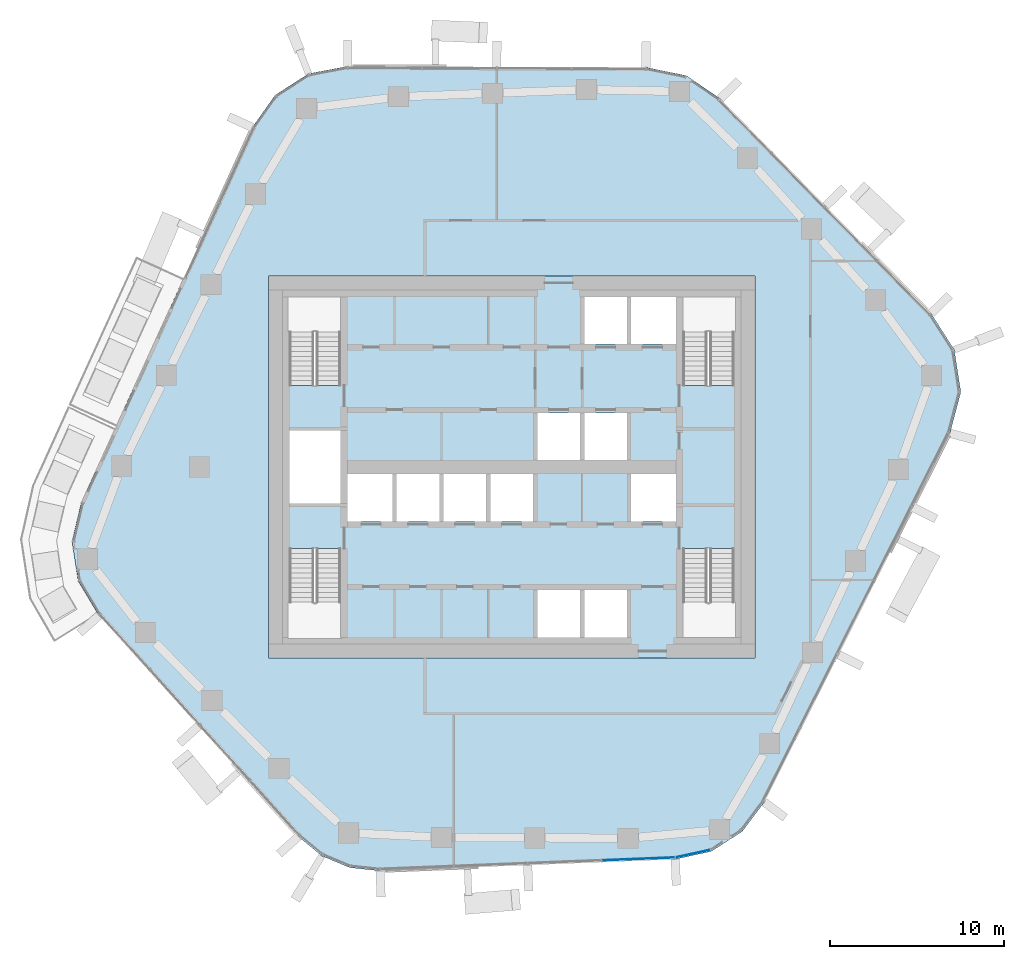
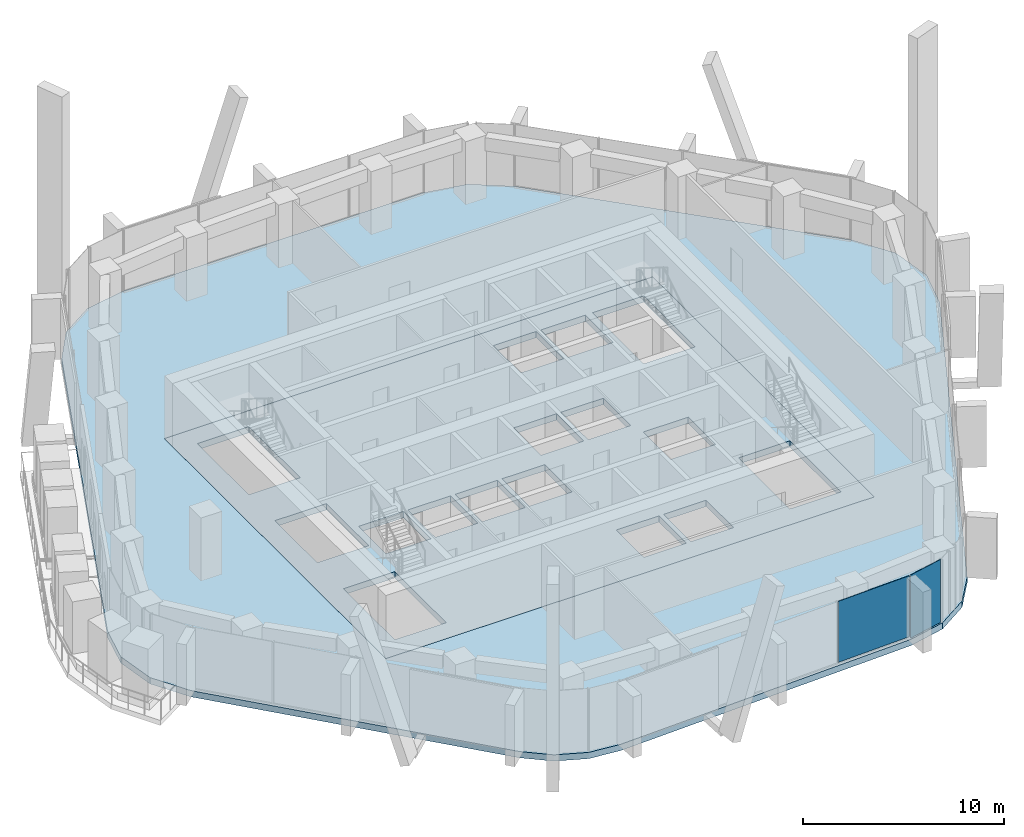
# One storey, part 9 of 19: 2 plates, 2 slabs, 2 elements without a shape of their own.
"""IFC4 building model written with IfcOpenShell, lengths in metres."""

from ifc_helpers import new_model, si_unit, direction, frame, origin, origin_2d, place, context, subcontext, project, spatial, polyline, rectangle, outline, extrude, material, layer, layer_set, type_object, element, aggregate, save


model = new_model("IFC4")

# Units and contexts
model_context = context("Model", 3, precision=1e-05, world=origin(), true_north=direction((0.0, 1.0)))
body_context = subcontext(model_context, "Body", "Model", "MODEL_VIEW")
ifc_project = project(units=[si_unit("LENGTHUNIT", "METRE"), si_unit("AREAUNIT", "SQUARE_METRE"), si_unit("VOLUMEUNIT", "CUBIC_METRE"), si_unit("PLANEANGLEUNIT", "RADIAN"), si_unit("MASSUNIT", "GRAM", prefix="KILO")], contexts=[model_context])

# Site, building, storey
site_placement = place(None, origin())
site = spatial("IfcSite", under=ifc_project, at=site_placement, CompositionType="ELEMENT")
building_placement = place(site_placement, origin())
building = spatial("IfcBuilding", under=site, at=building_placement, Name="Dongbaek Canopy Tower", CompositionType="ELEMENT")
storey_placement = place(building_placement, frame((0.0, 0.0, 198.800048828125)))
storey = spatial("IfcBuildingStorey", under=building, at=storey_placement, Name="L41", CompositionType="ELEMENT", Elevation=198.800048828125)

# Curtain wall, plate
ifc_material_1 = material(Name="Aluminium 6063-T6 pale anodised", Category="aluminium")
ifc_layer_1 = layer(ifc_material_1, 0.199951171875)
ifc_layer_set_1 = layer_set([ifc_layer_1], Name="CW-1 unitised tower curtain wall")
curtain_wall_type = type_object("IfcCurtainWallType", Name="CW-1 unitised tower curtain wall", PredefinedType="NOTDEFINED", material=ifc_layer_set_1)
curtain_wall_1_placement = place(storey_placement, origin())
curtain_wall_1 = element("IfcCurtainWall", 1, at=curtain_wall_1_placement, inside=storey, type_object=curtain_wall_type, Name="CW-1 curtain wall F4.1", PredefinedType="NOTDEFINED")
ifc_material_2 = material(Name="Clear laminated glass", Category="glass")
ifc_layer_2 = layer(ifc_material_2, 0.028076171875)
ifc_layer_set_2 = layer_set([ifc_layer_2], Name="CW-1 glazed panel 28")
plate_type = type_object("IfcPlateType", Name="CW-1 glazed panel 28", PredefinedType="CURTAIN_PANEL", material=ifc_layer_set_2)
plate_1_placement = place(storey_placement, frame((7.287841796875, -22.56591796875, 0.1201171875), z_axis=(0.0, 0.0, 1.0), x_axis=(0.999228406114, 0.039275850271, 0.0)))
plate_1 = element("IfcPlate", 2, at=plate_1_placement, type_object=plate_type, Name="CW-1 panel F4.1.4.1", PredefinedType="CURTAIN_PANEL", context=body_context, shape_type="SweptSolid", body=[
    extrude(rectangle(XDim=4.164794921875, YDim=0.028076171875, at=origin_2d()), origin(), (0.0, 0.0, 1.0), 3.699951171875),
])
aggregate(curtain_wall_1, [plate_1])

curtain_wall_2_placement = place(storey_placement, origin())
curtain_wall_2 = element("IfcCurtainWall", 3, at=curtain_wall_2_placement, inside=storey, type_object=curtain_wall_type, Name="CW-1 curtain wall K5.1a", PredefinedType="NOTDEFINED")
plate_2_placement = place(storey_placement, frame((10.432373046875, -22.25732421875, 0.0), z_axis=(0.0, 0.0, 1.0), x_axis=(0.976582833998, 0.215141740117, 0.0)))
plate_2 = element("IfcPlate", 4, at=plate_2_placement, type_object=plate_type, Name="CW-1 panel K5.1a.1.1", PredefinedType="CURTAIN_PANEL", context=body_context, shape_type="SweptSolid", body=[
    extrude(rectangle(XDim=2.008544921875, YDim=0.028076171875, at=origin_2d()), origin(), (0.0, 0.0, 1.0), 3.820068359375),
])
aggregate(curtain_wall_2, [plate_2])

# Slabs
ifc_material_3 = material(Name="Concrete C40/50", Category="concrete")
ifc_layer_3 = layer(ifc_material_3, 0.3798828125)
ifc_layer_set_3 = layer_set([ifc_layer_3], Name="Core floor slab 380 Concrete C40/50")
slab_type_1 = type_object("IfcSlabType", Name="Core floor slab 380 Concrete C40/50", PredefinedType="FLOOR", material=ifc_layer_set_3)
slab_1_placement = place(storey_placement, frame((0.0, 0.0, -0.380126953125)))
element("IfcSlab", 5, at=slab_1_placement, inside=storey, type_object=slab_type_1, Name="Core floor slab L41", PredefinedType="FLOOR", context=body_context, shape_type="SweptSolid", body=[
    extrude(outline(polyline([(14.0, -11.0), (14.0, 11.0), (-14.0, 11.0), (-14.0, -11.0), (14.0, -11.0)]), holes=[polyline([(-12.800048828125, 2.10009765625), (-9.85009765625, 2.10009765625), (-9.85009765625, -2.10009765625), (-12.800048828125, -2.10009765625), (-12.800048828125, 2.10009765625)]), polyline([(6.625, 9.800048828125), (6.625, 7.074951171875), (4.175048828125, 7.074951171875), (4.175048828125, 9.800048828125), (6.625, 9.800048828125)]), polyline([(9.449951171875, 7.074951171875), (6.875, 7.074951171875), (6.875, 9.800048828125), (9.449951171875, 9.800048828125), (9.449951171875, 7.074951171875)]), polyline([(1.47509765625, 0.39990234375), (1.47509765625, 3.125), (3.925048828125, 3.125), (3.925048828125, 0.39990234375), (1.47509765625, 0.39990234375)]), polyline([(4.175048828125, 0.39990234375), (4.175048828125, 3.125), (6.625, 3.125), (6.625, 0.39990234375), (4.175048828125, 0.39990234375)]), polyline([(-9.449951171875, -0.39990234375), (-6.875, -0.39990234375), (-6.875, -3.125), (-9.449951171875, -3.125), (-9.449951171875, -0.39990234375)]), polyline([(-6.625, -3.125), (-6.625, -0.39990234375), (-4.175048828125, -0.39990234375), (-4.175048828125, -3.125), (-6.625, -3.125)]), polyline([(-3.925048828125, -3.125), (-3.925048828125, -0.39990234375), (-1.47509765625, -0.39990234375), (-1.47509765625, -3.125), (-3.925048828125, -3.125)]), polyline([(-1.22509765625, -3.125), (-1.22509765625, -0.39990234375), (1.22509765625, -0.39990234375), (1.22509765625, -3.125), (-1.22509765625, -3.125)]), polyline([(9.449951171875, -3.125), (6.875, -3.125), (6.875, -0.39990234375), (9.449951171875, -0.39990234375), (9.449951171875, -3.125)]), polyline([(1.47509765625, -9.800048828125), (1.47509765625, -7.074951171875), (3.925048828125, -7.074951171875), (3.925048828125, -9.800048828125), (1.47509765625, -9.800048828125)]), polyline([(4.175048828125, -9.800048828125), (4.175048828125, -7.074951171875), (6.625, -7.074951171875), (6.625, -9.800048828125), (4.175048828125, -9.800048828125)]), polyline([(12.800048828125, 4.70068359375), (12.800048828125, 9.800048828125), (9.85009765625, 9.800048828125), (9.85009765625, 4.70068359375), (12.800048828125, 4.70068359375)]), polyline([(-9.85009765625, 4.70068359375), (-9.85009765625, 9.800048828125), (-12.800048828125, 9.800048828125), (-12.800048828125, 4.70068359375), (-9.85009765625, 4.70068359375)]), polyline([(9.85009765625, -4.70068359375), (9.85009765625, -9.800048828125), (12.800048828125, -9.800048828125), (12.800048828125, -4.70068359375), (9.85009765625, -4.70068359375)]), polyline([(-12.800048828125, -4.70068359375), (-12.800048828125, -9.800048828125), (-9.85009765625, -9.800048828125), (-9.85009765625, -4.70068359375), (-12.800048828125, -4.70068359375)])]), origin(), (0.0, 0.0, 1.0), 0.380126953125),
])
ifc_material_4 = material(Name="Concrete C40", Category="concrete")
ifc_layer_4 = layer(ifc_material_4, 0.3798828125)
ifc_layer_set_4 = layer_set([ifc_layer_4], Name="RC FLAT PLATE 380 Concrete C40")
slab_type_2 = type_object("IfcSlabType", Name="RC FLAT PLATE 380 Concrete C40", PredefinedType="FLOOR", material=ifc_layer_set_4)
slab_2_placement = place(storey_placement, frame((0.0, 0.0, -0.380126953125)))
element("IfcSlab", 6, at=slab_2_placement, inside=storey, type_object=slab_type_2, Name="SLAB:L41", PredefinedType="FLOOR", context=body_context, shape_type="SweptSolid", body=[
    extrude(outline(polyline([(14.54736328125, -19.28369140625), (13.275146484375, -20.978759765625), (11.4931640625, -22.1259765625), (9.42333984375, -22.58203125), (-7.593994140625, -23.250732421875), (-9.329345703125, -23.06494140625), (-10.93798828125, -22.3876953125), (-12.283447265625, -21.27587890625), (-23.780029296875, -8.5400390625), (-24.96875, -6.559814453125), (-25.3212890625, -4.277587890625), (-24.785888671875, -2.031005859375), (-14.9404296875, 19.568603515625), (-13.6181640625, 21.425537109375), (-11.698486328125, 22.6552734375), (-9.458984375, 23.080078125), (7.738037109375, 23.016845703125), (10.04833984375, 22.544921875), (11.99853515625, 21.218994140625), (24.148681640625, 8.836181640625), (25.477294921875, 6.75830078125), (25.85791015625, 4.3212890625), (25.2255859375, 1.93701171875), (14.54736328125, -19.28369140625)]), holes=[polyline([(14.0, 11.0), (-14.0, 11.0), (-14.0, -11.0), (14.0, -11.0), (14.0, 11.0)])]), origin(), (0.0, 0.0, 1.0), 0.380126953125),
])

save(model, "model.ifc")
